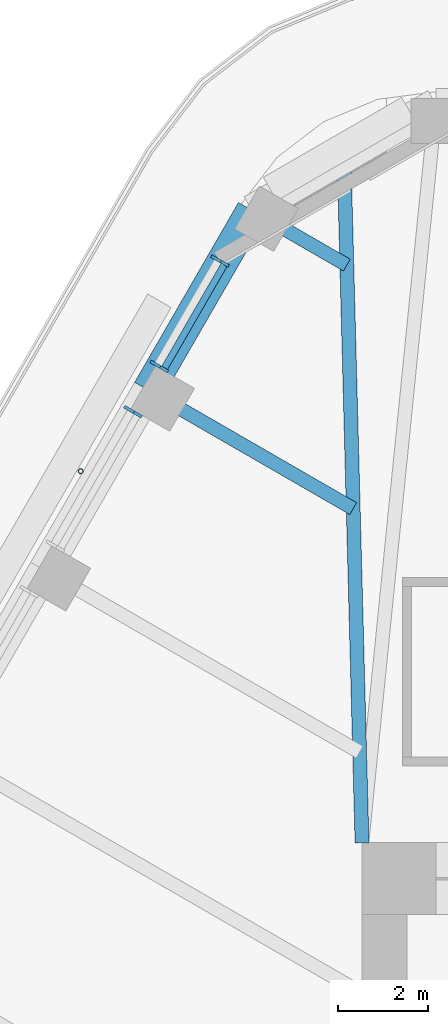
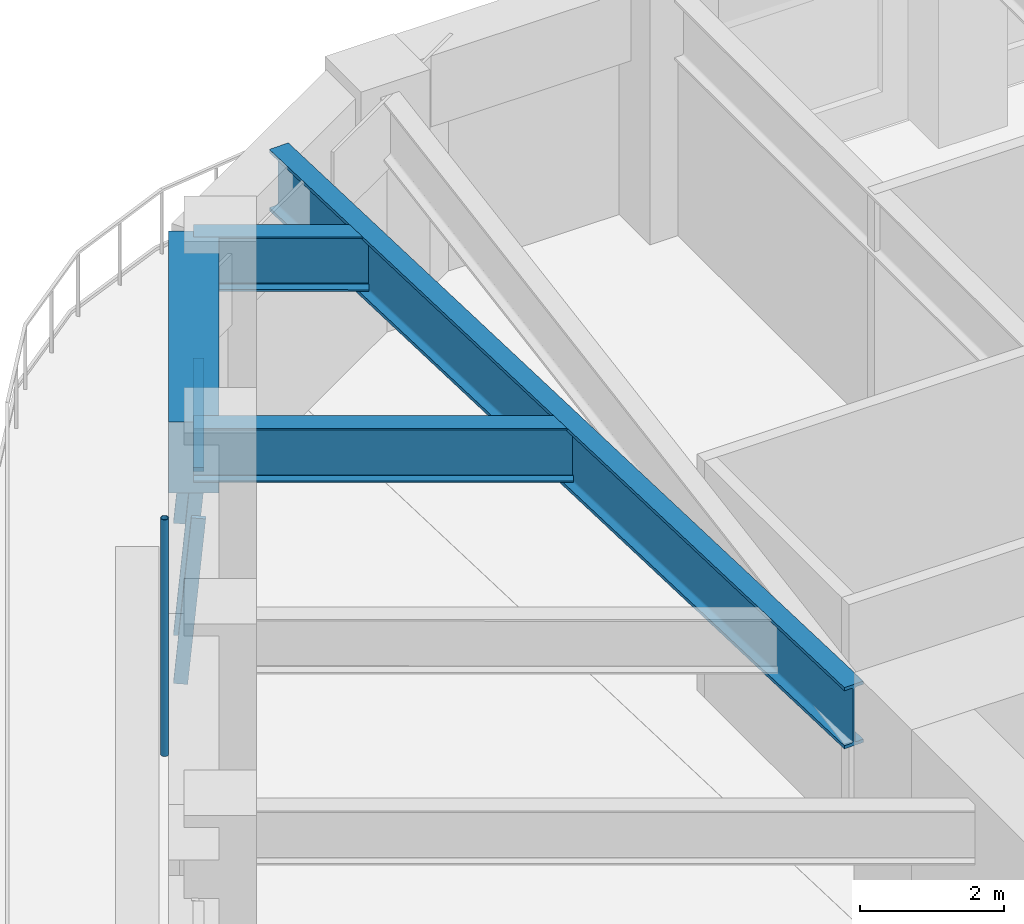
# One storey, part 8 of 20: 5 members, 4 beams, 2 elements without a shape of their own.
"""IFC4 building model written with IfcOpenShell, lengths in metres."""

from ifc_helpers import new_model, si_unit, direction, frame, origin, origin_2d, place, context, subcontext, project, spatial, rectangle, hollow_circle, i_section, extrude, material, material_profile, profile_set, type_object, element, aggregate, save


model = new_model("IFC4")

# Units and contexts
model_context = context("Model", 3, precision=1e-05, world=origin(), true_north=direction((0.0, 1.0)))
body_context = subcontext(model_context, "Body", "Model", "MODEL_VIEW")
ifc_project = project(units=[si_unit("LENGTHUNIT", "METRE"), si_unit("AREAUNIT", "SQUARE_METRE"), si_unit("VOLUMEUNIT", "CUBIC_METRE"), si_unit("PLANEANGLEUNIT", "RADIAN"), si_unit("MASSUNIT", "GRAM", prefix="KILO")], contexts=[model_context])

# Site, building, storey
site_placement = place(None, origin())
site = spatial("IfcSite", under=ifc_project, at=site_placement, CompositionType="ELEMENT")
building_placement = place(site_placement, origin())
building = spatial("IfcBuilding", under=site, at=building_placement, Name="Tarfa Lantern Tower", CompositionType="ELEMENT")
storey_placement = place(building_placement, frame((0.0, 0.0, 278.5)))
storey = spatial("IfcBuildingStorey", under=building, at=storey_placement, Name="L63", CompositionType="ELEMENT", Elevation=278.5)

# Curtain wall, members
ifc_material_1 = material(Name="Aluminium framed curtain wall", Category="aluminium")
curtain_wall_type = type_object("IfcCurtainWallType", Name="CW3 CANTED GLAZING HIGH ZONE 2800", PredefinedType="USERDEFINED", material=ifc_material_1)
curtain_wall_1_placement = place(storey_placement, origin())
curtain_wall_1 = element("IfcCurtainWall", 1, at=curtain_wall_1_placement, inside=storey, type_object=curtain_wall_type, Name="CW3 NW L63", ObjectType="CURTAIN WALL", PredefinedType="USERDEFINED")
ifc_material_2 = material(Name="Aluminium mullion", Category="aluminium")
ifc_material_profile_1 = material_profile(ifc_material_2, rectangle(XDim=0.06494140625, YDim=0.199951171875, at=origin_2d()), Name="AL MULLION 65x200")
ifc_profile_set_1 = profile_set([ifc_material_profile_1], Name="Aluminium mullion")
member_type_1 = type_object("IfcMemberType", Name="CWM1 MULLION 65x200", PredefinedType="MULLION", material=ifc_profile_set_1)
member_1_placement = place(storey_placement, frame((-18.76611328125, 25.296142578125, 0.0), z_axis=(0.077032386753, -0.044465143199, 0.996036576854), x_axis=(0.499919672301, 0.866071776036, 0.0)))
member_1 = element("IfcMember", 2, at=member_1_placement, type_object=member_type_1, Name="CW3 mullion 1", PredefinedType="MULLION", context=body_context, shape_type="SweptSolid", body=[
    extrude(rectangle(XDim=0.06494140625, YDim=0.199951171875, at=origin_2d()), origin(), (0.0, 0.0, 1.0), 2.811279296875),
])
member_2_placement = place(storey_placement, frame((-20.1181640625, 22.954345703125, 0.0), z_axis=(0.077032386753, -0.044465143199, 0.996036576854), x_axis=(0.499919672301, 0.866071776036, 0.0)))
member_2 = element("IfcMember", 3, at=member_2_placement, type_object=member_type_1, Name="CW3 mullion 2", PredefinedType="MULLION", context=body_context, shape_type="SweptSolid", body=[
    extrude(rectangle(XDim=0.06494140625, YDim=0.199951171875, at=origin_2d()), origin(), (0.0, 0.0, 1.0), 2.811279296875),
])

# Curtain wall, member
curtain_wall_2_placement = place(storey_placement, origin())
curtain_wall_2 = element("IfcCurtainWall", 4, at=curtain_wall_2_placement, inside=storey, type_object=curtain_wall_type, Name="CW3 NW L63", ObjectType="CURTAIN WALL", PredefinedType="USERDEFINED")
member_3_placement = place(storey_placement, frame((-20.70068359375, 21.945556640625, 0.0), z_axis=(0.077032386753, -0.044465143199, 0.996036576854), x_axis=(0.499919672301, 0.866071776036, 0.0)))
member_3 = element("IfcMember", 5, at=member_3_placement, type_object=member_type_1, Name="CW3 mullion 1", PredefinedType="MULLION", context=body_context, shape_type="SweptSolid", body=[
    extrude(rectangle(XDim=0.06494140625, YDim=0.199951171875, at=origin_2d()), origin(), (0.0, 0.0, 1.0), 2.811279296875),
])
aggregate(curtain_wall_2, [member_3])

# Member
ifc_material_3 = material(Name="Aluminium transom", Category="aluminium")
ifc_material_profile_2 = material_profile(ifc_material_3, rectangle(XDim=0.14990234375, YDim=0.06494140625, at=origin_2d()), Name="AL TRANSOM 150x65")
ifc_profile_set_2 = profile_set([ifc_material_profile_2], Name="Aluminium transom")
member_type_2 = type_object("IfcMemberType", Name="CWT1 TRANSOM 150x65", PredefinedType="USERDEFINED", material=ifc_profile_set_2)
member_4_placement = place(storey_placement, frame((-18.568359375, 25.144287109375, 2.767578125), z_axis=(-0.50006949096, -0.865985279442, 0.0), x_axis=(0.865985279442, -0.50006949096, 0.0)))
member_4 = element("IfcMember", 6, at=member_4_placement, type_object=member_type_2, Name="CW3 transom 1.2", ObjectType="TRANSOM", PredefinedType="USERDEFINED", context=body_context, shape_type="SweptSolid", body=[
    extrude(rectangle(XDim=0.14990234375, YDim=0.06494140625, at=origin_2d()), origin(), (0.0, 0.0, 1.0), 2.638671875),
])

aggregate(curtain_wall_1, [member_1, member_2, member_4])

# Beam
ifc_material_4 = material(Name="Concrete C80/95", Category="concrete")
ifc_material_profile_3 = material_profile(ifc_material_4, rectangle(XDim=0.699951171875, YDim=1.199951171875, at=origin_2d()), Name="RC 700x1200")
ifc_profile_set_3 = profile_set([ifc_material_profile_3], Name="Concrete C80/95")
beam_type_1 = type_object("IfcBeamType", Name="EB3 RC 700x1200", PredefinedType="SPANDREL", material=ifc_profile_set_3)
beam_1_placement = place(storey_placement, frame((-17.944091796875, 26.360107421875, 3.39990234375), z_axis=(-0.499987836815, -0.866032426089, 0.0), x_axis=(0.866032426089, -0.499987836815, 0.0)))
element("IfcBeam", 7, at=beam_1_placement, inside=storey, type_object=beam_type_1, Name="Edge beam NW0", PredefinedType="SPANDREL", context=body_context, shape_type="SweptSolid", body=[
    extrude(rectangle(XDim=0.699951171875, YDim=1.199951171875, at=origin_2d()), origin(), (0.0, 0.0, 1.0), 4.61865234375),
])

# Member
ifc_material_5 = material(Name="Steel S355", Category="steel")
ifc_material_profile_4 = material_profile(ifc_material_5, hollow_circle(Radius=0.05712890625, WallThickness=0.00634765625, at=origin_2d()), Name="CHS114.3x6.3")
ifc_profile_set_4 = profile_set([ifc_material_profile_4], Name="Steel S355")
member_type_3 = type_object("IfcMemberType", Name="TR1 GREEN WALL TRELLIS CHS114.3x6.3", PredefinedType="USERDEFINED", material=ifc_profile_set_4)
member_5_placement = place(storey_placement, frame((-21.754638671875, 20.56005859375, 0.0), z_axis=(0.0, 0.0, 1.0), x_axis=(1.0, 0.0, 0.0)))
element("IfcMember", 8, at=member_5_placement, inside=storey, type_object=member_type_3, Name="Trellis post NW 1", ObjectType="TRELLIS", PredefinedType="USERDEFINED", context=body_context, shape_type="SweptSolid", body=[
    extrude(hollow_circle(Radius=0.05712890625, WallThickness=0.00634765625, at=origin_2d()), origin(), (0.0, 0.0, 1.0), 4.0),
])

# Beams
ifc_material_6 = material(Name="Steel S460M", Category="steel")
ifc_material_profile_5 = material_profile(ifc_material_6, i_section(OverallWidth=0.30859375, OverallDepth=1.036376953125, WebThickness=0.030029296875, FlangeThickness=0.05419921875, FilletRadius=0.030029296875, at=origin_2d()), Name="UB1016x305x487")
ifc_profile_set_5 = profile_set([ifc_material_profile_5], Name="Steel S460M")
beam_type_2 = type_object("IfcBeamType", Name="UB1016x305x487", PredefinedType="BEAM", material=ifc_profile_set_5)
beam_2_placement = place(storey_placement, frame((-15.5, 12.300048828125, 3.48193359375), z_axis=(-0.026247301989, 0.999655480222, 0.0), x_axis=(-0.999655480222, -0.026247301989, 0.0)))
element("IfcBeam", 9, at=beam_2_placement, inside=storey, type_object=beam_type_2, Name="Hip girder NW", PredefinedType="BEAM", context=body_context, shape_type="SweptSolid", body=[
    extrude(i_section(OverallWidth=0.30859375, OverallDepth=1.036376953125, WebThickness=0.030029296875, FlangeThickness=0.05419921875, FilletRadius=0.030029296875, at=origin_2d()), origin(), (0.0, 0.0, 1.0), 15.245361328125),
])
ifc_material_profile_6 = material_profile(ifc_material_6, i_section(OverallWidth=0.305419921875, OverallDepth=0.91845703125, WebThickness=0.017333984375, FlangeThickness=0.02783203125, FilletRadius=0.01904296875, at=origin_2d()), Name="UB914x305x253")
ifc_profile_set_6 = profile_set([ifc_material_profile_6], Name="Steel S460M")
beam_type_3 = type_object("IfcBeamType", Name="UB914x305x253", PredefinedType="BEAM", material=ifc_profile_set_6)
beam_3_placement = place(storey_placement, frame((-17.944091796875, 26.360107421875, 3.540771484375), z_axis=(0.865980009423, -0.5000786171, 0.0), x_axis=(0.5000786171, 0.865980009423, 0.0)))
element("IfcBeam", 10, at=beam_3_placement, inside=storey, type_object=beam_type_3, Name="Floor beam NW0", PredefinedType="BEAM", context=body_context, shape_type="SweptSolid", body=[
    extrude(i_section(OverallWidth=0.305419921875, OverallDepth=0.91845703125, WebThickness=0.017333984375, FlangeThickness=0.02783203125, FilletRadius=0.01904296875, at=origin_2d()), origin(), (0.0, 0.0, 1.0), 2.4326171875),
])
beam_4_placement = place(storey_placement, frame((-20.25341796875, 22.360107421875, 3.540771484375), z_axis=(0.86601951648, -0.500010196972, 0.0), x_axis=(0.500010196972, 0.86601951648, 0.0)))
element("IfcBeam", 11, at=beam_4_placement, inside=storey, type_object=beam_type_3, Name="Floor beam NW1", PredefinedType="BEAM", context=body_context, shape_type="SweptSolid", body=[
    extrude(i_section(OverallWidth=0.305419921875, OverallDepth=0.91845703125, WebThickness=0.017333984375, FlangeThickness=0.02783203125, FilletRadius=0.01904296875, at=origin_2d()), origin(), (0.0, 0.0, 1.0), 5.263671875),
])

save(model, "model.ifc")
